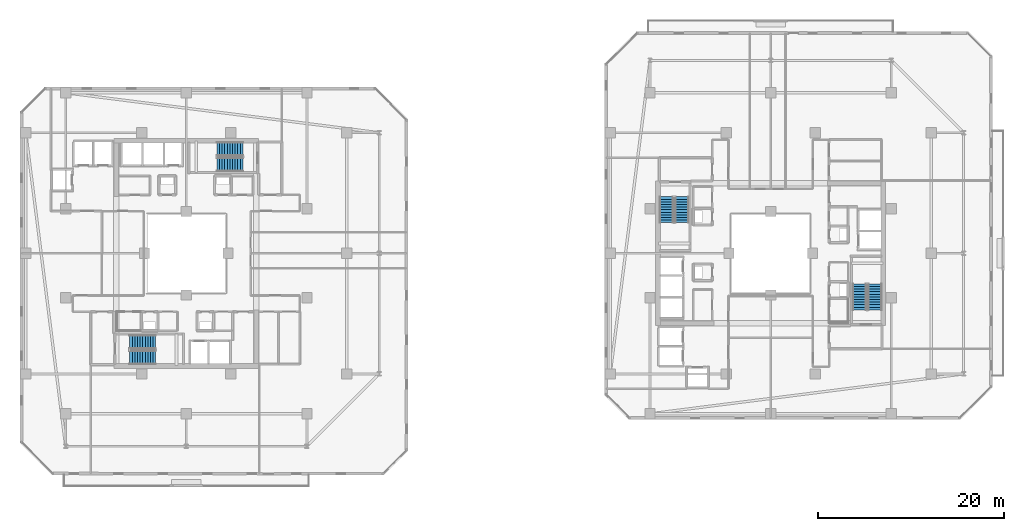
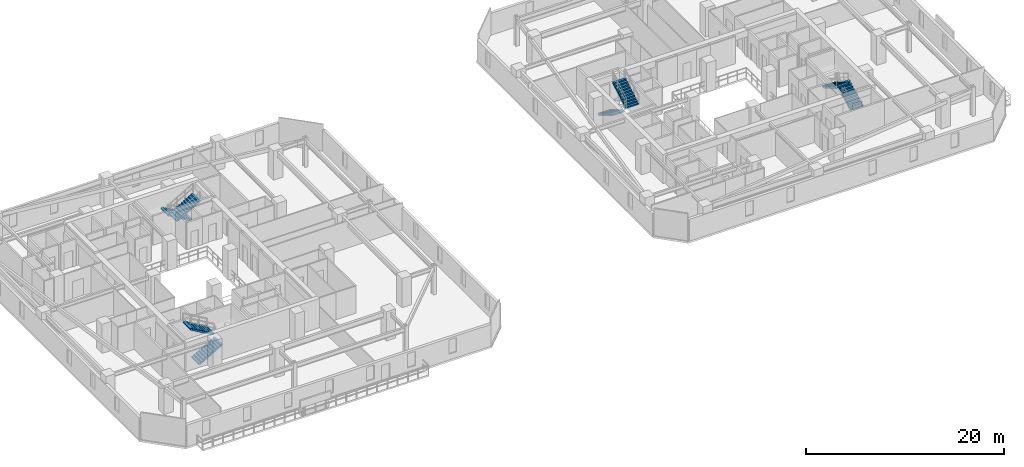
# One storey, part 27 of 33: 8 stair flights, 4 elements without a shape of their own.
"""IFC4 building model written with IfcOpenShell, lengths in metres."""

from ifc_helpers import new_model, si_unit, direction, frame, origin, place, context, subcontext, project, spatial, polyline, outline, extrude, material, type_object, element, aggregate, save


model = new_model("IFC4")

# Units and contexts
model_context = context("Model", 3, precision=1e-05, world=origin(), true_north=direction((0.0, 1.0)))
body_context = subcontext(model_context, "Body", "Model", "MODEL_VIEW")
ifc_project = project(units=[si_unit("LENGTHUNIT", "METRE"), si_unit("AREAUNIT", "SQUARE_METRE"), si_unit("VOLUMEUNIT", "CUBIC_METRE"), si_unit("PLANEANGLEUNIT", "RADIAN"), si_unit("MASSUNIT", "GRAM", prefix="KILO")], contexts=[model_context])

# Site, building, storey
site_placement = place(None, origin())
site = spatial("IfcSite", under=ifc_project, at=site_placement, CompositionType="ELEMENT")
building_placement = place(site_placement, origin())
building = spatial("IfcBuilding", under=site, at=building_placement, Name="Thornwick Lancets Civic Towers", CompositionType="ELEMENT")
storey_placement = place(building_placement, frame((0.0, 0.0, 159.89990234375)))
storey = spatial("IfcBuildingStorey", under=building, at=storey_placement, Name="L42", CompositionType="ELEMENT", Elevation=159.89990234375)

# Stair, stair flights
ifc_material = material(Name="Concrete C40/50", Category="concrete")
stair_type = type_object("IfcStairType", Name="STAIR_DL_3600", PredefinedType="HALF_TURN_STAIR", material=ifc_material)
stair_1_placement = place(storey_placement, origin())
stair_1 = element("IfcStair", 1, at=stair_1_placement, inside=storey, type_object=stair_type, Name="L42 Tower A South Exit Stair ST-A1", PredefinedType="HALF_TURN_STAIR")
stair_flight_type = type_object("IfcStairFlightType", Name="FLIGHT_3600", PredefinedType="STRAIGHT", material=ifc_material)
stair_flight_1_placement = place(storey_placement, frame((19.39990234375, 15.75, 0.0), z_axis=(0.0, 0.0, 1.0), x_axis=(1.0, 0.0, 0.0)))
stair_flight_1 = element("IfcStairFlight", 2, at=stair_flight_1_placement, type_object=stair_flight_type, Name="ST-A1 flight 1", NumberOfRisers=11, NumberOfTreads=10, PredefinedType="STRAIGHT", RiserHeight=0.163636364, TreadLength=0.28, context=body_context, shape_type="SweptSolid", body=[
    extrude(outline(polyline([(0.0, 0.0), (0.0, 0.16357421875), (0.280029296875, 0.16357421875), (0.280029296875, 0.327392578125), (0.56005859375, 0.327392578125), (0.56005859375, 0.490966796875), (0.840087890625, 0.490966796875), (0.840087890625, 0.654541015625), (1.1201171875, 0.654541015625), (1.1201171875, 0.818115234375), (1.39990234375, 0.818115234375), (1.39990234375, 0.98193359375), (1.679931640625, 0.98193359375), (1.679931640625, 1.1455078125), (1.9599609375, 1.1455078125), (1.9599609375, 1.30908203125), (2.239990234375, 1.30908203125), (2.239990234375, 1.47265625), (2.52001953125, 1.47265625), (2.52001953125, 1.636474609375), (2.800048828125, 1.636474609375), (2.800048828125, 1.800048828125), (2.800048828125, 1.462646484375), (0.297119140625, 0.0), (0.0, 0.0)])), frame((0.0, 0.75, 0.0), z_axis=(0.0, -1.0, 0.0), x_axis=(1.0, 0.0, 0.0)), (0.0, 0.0, 1.0), 1.5),
])
stair_flight_2_placement = place(storey_placement, frame((22.199951171875, 17.449951171875, 1.800048828125), z_axis=(0.0, 0.0, 1.0), x_axis=(-1.0, 0.0, 0.0)))
stair_flight_2 = element("IfcStairFlight", 3, at=stair_flight_2_placement, type_object=stair_flight_type, Name="ST-A1 flight 2", NumberOfRisers=11, NumberOfTreads=10, PredefinedType="STRAIGHT", RiserHeight=0.163636364, TreadLength=0.28, context=body_context, shape_type="SweptSolid", body=[
    extrude(outline(polyline([(0.0, 0.0), (0.0, 0.16357421875), (0.280029296875, 0.16357421875), (0.280029296875, 0.327392578125), (0.56005859375, 0.327392578125), (0.56005859375, 0.490966796875), (0.840087890625, 0.490966796875), (0.840087890625, 0.654541015625), (1.1201171875, 0.654541015625), (1.1201171875, 0.818115234375), (1.39990234375, 0.818115234375), (1.39990234375, 0.98193359375), (1.679931640625, 0.98193359375), (1.679931640625, 1.1455078125), (1.9599609375, 1.1455078125), (1.9599609375, 1.30908203125), (2.239990234375, 1.30908203125), (2.239990234375, 1.47265625), (2.52001953125, 1.47265625), (2.52001953125, 1.636474609375), (2.800048828125, 1.636474609375), (2.800048828125, 1.800048828125), (2.800048828125, 1.462646484375), (0.297119140625, 0.0), (0.0, 0.0)])), frame((0.0, 0.75, 0.0), z_axis=(0.0, -1.0, 0.0), x_axis=(1.0, 0.0, 0.0)), (0.0, 0.0, 1.0), 1.5),
])
aggregate(stair_1, [stair_flight_1, stair_flight_2])

stair_2_placement = place(storey_placement, origin())
stair_2 = element("IfcStair", 4, at=stair_2_placement, inside=storey, type_object=stair_type, Name="L42 Tower A North Exit Stair ST-A2", PredefinedType="HALF_TURN_STAIR")
stair_flight_3_placement = place(storey_placement, frame((31.60009765625, 38.25, 0.0), z_axis=(0.0, 0.0, 1.0), x_axis=(-1.0, 0.0, 0.0)))
stair_flight_3 = element("IfcStairFlight", 5, at=stair_flight_3_placement, type_object=stair_flight_type, Name="ST-A2 flight 1", NumberOfRisers=11, NumberOfTreads=10, PredefinedType="STRAIGHT", RiserHeight=0.163636364, TreadLength=0.28, context=body_context, shape_type="SweptSolid", body=[
    extrude(outline(polyline([(0.0, 0.0), (0.0, 0.16357421875), (0.280029296875, 0.16357421875), (0.280029296875, 0.327392578125), (0.56005859375, 0.327392578125), (0.56005859375, 0.490966796875), (0.840087890625, 0.490966796875), (0.840087890625, 0.654541015625), (1.1201171875, 0.654541015625), (1.1201171875, 0.818115234375), (1.39990234375, 0.818115234375), (1.39990234375, 0.98193359375), (1.679931640625, 0.98193359375), (1.679931640625, 1.1455078125), (1.9599609375, 1.1455078125), (1.9599609375, 1.30908203125), (2.239990234375, 1.30908203125), (2.239990234375, 1.47265625), (2.52001953125, 1.47265625), (2.52001953125, 1.636474609375), (2.800048828125, 1.636474609375), (2.800048828125, 1.800048828125), (2.800048828125, 1.462646484375), (0.297119140625, 0.0), (0.0, 0.0)])), frame((0.0, 0.75, 0.0), z_axis=(0.0, -1.0, 0.0), x_axis=(1.0, 0.0, 0.0)), (0.0, 0.0, 1.0), 1.5),
])
stair_flight_4_placement = place(storey_placement, frame((28.800048828125, 36.550048828125, 1.800048828125), z_axis=(0.0, 0.0, 1.0), x_axis=(1.0, 0.0, 0.0)))
stair_flight_4 = element("IfcStairFlight", 6, at=stair_flight_4_placement, type_object=stair_flight_type, Name="ST-A2 flight 2", NumberOfRisers=11, NumberOfTreads=10, PredefinedType="STRAIGHT", RiserHeight=0.163636364, TreadLength=0.28, context=body_context, shape_type="SweptSolid", body=[
    extrude(outline(polyline([(0.0, 0.0), (0.0, 0.16357421875), (0.280029296875, 0.16357421875), (0.280029296875, 0.327392578125), (0.56005859375, 0.327392578125), (0.56005859375, 0.490966796875), (0.840087890625, 0.490966796875), (0.840087890625, 0.654541015625), (1.1201171875, 0.654541015625), (1.1201171875, 0.818115234375), (1.39990234375, 0.818115234375), (1.39990234375, 0.98193359375), (1.679931640625, 0.98193359375), (1.679931640625, 1.1455078125), (1.9599609375, 1.1455078125), (1.9599609375, 1.30908203125), (2.239990234375, 1.30908203125), (2.239990234375, 1.47265625), (2.52001953125, 1.47265625), (2.52001953125, 1.636474609375), (2.800048828125, 1.636474609375), (2.800048828125, 1.800048828125), (2.800048828125, 1.462646484375), (0.297119140625, 0.0), (0.0, 0.0)])), frame((0.0, 0.75, 0.0), z_axis=(0.0, -1.0, 0.0), x_axis=(1.0, 0.0, 0.0)), (0.0, 0.0, 1.0), 1.5),
])
aggregate(stair_2, [stair_flight_3, stair_flight_4])

stair_3_placement = place(storey_placement, origin())
stair_3 = element("IfcStair", 7, at=stair_3_placement, inside=storey, type_object=stair_type, Name="L42 Tower B East Exit Stair ST-B1", PredefinedType="HALF_TURN_STAIR")
stair_flight_5_placement = place(storey_placement, frame((99.75, 20.89990234375, 0.0), z_axis=(0.0, 0.0, 1.0), x_axis=(0.0, 1.0, 0.0)))
stair_flight_5 = element("IfcStairFlight", 8, at=stair_flight_5_placement, type_object=stair_flight_type, Name="ST-B1 flight 1", NumberOfRisers=11, NumberOfTreads=10, PredefinedType="STRAIGHT", RiserHeight=0.163636364, TreadLength=0.28, context=body_context, shape_type="SweptSolid", body=[
    extrude(outline(polyline([(0.0, 0.0), (0.0, 0.16357421875), (0.280029296875, 0.16357421875), (0.280029296875, 0.327392578125), (0.56005859375, 0.327392578125), (0.56005859375, 0.490966796875), (0.840087890625, 0.490966796875), (0.840087890625, 0.654541015625), (1.1201171875, 0.654541015625), (1.1201171875, 0.818115234375), (1.39990234375, 0.818115234375), (1.39990234375, 0.98193359375), (1.679931640625, 0.98193359375), (1.679931640625, 1.1455078125), (1.9599609375, 1.1455078125), (1.9599609375, 1.30908203125), (2.239990234375, 1.30908203125), (2.239990234375, 1.47265625), (2.52001953125, 1.47265625), (2.52001953125, 1.636474609375), (2.800048828125, 1.636474609375), (2.800048828125, 1.800048828125), (2.800048828125, 1.462646484375), (0.297119140625, 0.0), (0.0, 0.0)])), frame((0.0, 0.75, 0.0), z_axis=(0.0, -1.0, 0.0), x_axis=(1.0, 0.0, 0.0)), (0.0, 0.0, 1.0), 1.5),
])
stair_flight_6_placement = place(storey_placement, frame((98.050048828125, 23.699951171875, 1.800048828125), z_axis=(0.0, 0.0, 1.0), x_axis=(0.0, -1.0, 0.0)))
stair_flight_6 = element("IfcStairFlight", 9, at=stair_flight_6_placement, type_object=stair_flight_type, Name="ST-B1 flight 2", NumberOfRisers=11, NumberOfTreads=10, PredefinedType="STRAIGHT", RiserHeight=0.163636364, TreadLength=0.28, context=body_context, shape_type="SweptSolid", body=[
    extrude(outline(polyline([(0.0, 0.0), (0.0, 0.16357421875), (0.280029296875, 0.16357421875), (0.280029296875, 0.327392578125), (0.56005859375, 0.327392578125), (0.56005859375, 0.490966796875), (0.840087890625, 0.490966796875), (0.840087890625, 0.654541015625), (1.1201171875, 0.654541015625), (1.1201171875, 0.818115234375), (1.39990234375, 0.818115234375), (1.39990234375, 0.98193359375), (1.679931640625, 0.98193359375), (1.679931640625, 1.1455078125), (1.9599609375, 1.1455078125), (1.9599609375, 1.30908203125), (2.239990234375, 1.30908203125), (2.239990234375, 1.47265625), (2.52001953125, 1.47265625), (2.52001953125, 1.636474609375), (2.800048828125, 1.636474609375), (2.800048828125, 1.800048828125), (2.800048828125, 1.462646484375), (0.297119140625, 0.0), (0.0, 0.0)])), frame((0.0, 0.75, 0.0), z_axis=(0.0, -1.0, 0.0), x_axis=(1.0, 0.0, 0.0)), (0.0, 0.0, 1.0), 1.5),
])
aggregate(stair_3, [stair_flight_5, stair_flight_6])

stair_4_placement = place(storey_placement, origin())
stair_4 = element("IfcStair", 10, at=stair_4_placement, inside=storey, type_object=stair_type, Name="L42 Tower B West Exit Stair ST-B2", PredefinedType="HALF_TURN_STAIR")
stair_flight_7_placement = place(storey_placement, frame((77.25, 33.10009765625, 0.0), z_axis=(0.0, 0.0, 1.0), x_axis=(0.0, -1.0, 0.0)))
stair_flight_7 = element("IfcStairFlight", 11, at=stair_flight_7_placement, type_object=stair_flight_type, Name="ST-B2 flight 1", NumberOfRisers=11, NumberOfTreads=10, PredefinedType="STRAIGHT", RiserHeight=0.163636364, TreadLength=0.28, context=body_context, shape_type="SweptSolid", body=[
    extrude(outline(polyline([(0.0, 0.0), (0.0, 0.16357421875), (0.280029296875, 0.16357421875), (0.280029296875, 0.327392578125), (0.56005859375, 0.327392578125), (0.56005859375, 0.490966796875), (0.840087890625, 0.490966796875), (0.840087890625, 0.654541015625), (1.1201171875, 0.654541015625), (1.1201171875, 0.818115234375), (1.39990234375, 0.818115234375), (1.39990234375, 0.98193359375), (1.679931640625, 0.98193359375), (1.679931640625, 1.1455078125), (1.9599609375, 1.1455078125), (1.9599609375, 1.30908203125), (2.239990234375, 1.30908203125), (2.239990234375, 1.47265625), (2.52001953125, 1.47265625), (2.52001953125, 1.636474609375), (2.800048828125, 1.636474609375), (2.800048828125, 1.800048828125), (2.800048828125, 1.462646484375), (0.297119140625, 0.0), (0.0, 0.0)])), frame((0.0, 0.75, 0.0), z_axis=(0.0, -1.0, 0.0), x_axis=(1.0, 0.0, 0.0)), (0.0, 0.0, 1.0), 1.5),
])
stair_flight_8_placement = place(storey_placement, frame((78.949951171875, 30.300048828125, 1.800048828125), z_axis=(0.0, 0.0, 1.0), x_axis=(0.0, 1.0, 0.0)))
stair_flight_8 = element("IfcStairFlight", 12, at=stair_flight_8_placement, type_object=stair_flight_type, Name="ST-B2 flight 2", NumberOfRisers=11, NumberOfTreads=10, PredefinedType="STRAIGHT", RiserHeight=0.163636364, TreadLength=0.28, context=body_context, shape_type="SweptSolid", body=[
    extrude(outline(polyline([(0.0, 0.0), (0.0, 0.16357421875), (0.280029296875, 0.16357421875), (0.280029296875, 0.327392578125), (0.56005859375, 0.327392578125), (0.56005859375, 0.490966796875), (0.840087890625, 0.490966796875), (0.840087890625, 0.654541015625), (1.1201171875, 0.654541015625), (1.1201171875, 0.818115234375), (1.39990234375, 0.818115234375), (1.39990234375, 0.98193359375), (1.679931640625, 0.98193359375), (1.679931640625, 1.1455078125), (1.9599609375, 1.1455078125), (1.9599609375, 1.30908203125), (2.239990234375, 1.30908203125), (2.239990234375, 1.47265625), (2.52001953125, 1.47265625), (2.52001953125, 1.636474609375), (2.800048828125, 1.636474609375), (2.800048828125, 1.800048828125), (2.800048828125, 1.462646484375), (0.297119140625, 0.0), (0.0, 0.0)])), frame((0.0, 0.75, 0.0), z_axis=(0.0, -1.0, 0.0), x_axis=(1.0, 0.0, 0.0)), (0.0, 0.0, 1.0), 1.5),
])
aggregate(stair_4, [stair_flight_7, stair_flight_8])

save(model, "model.ifc")
